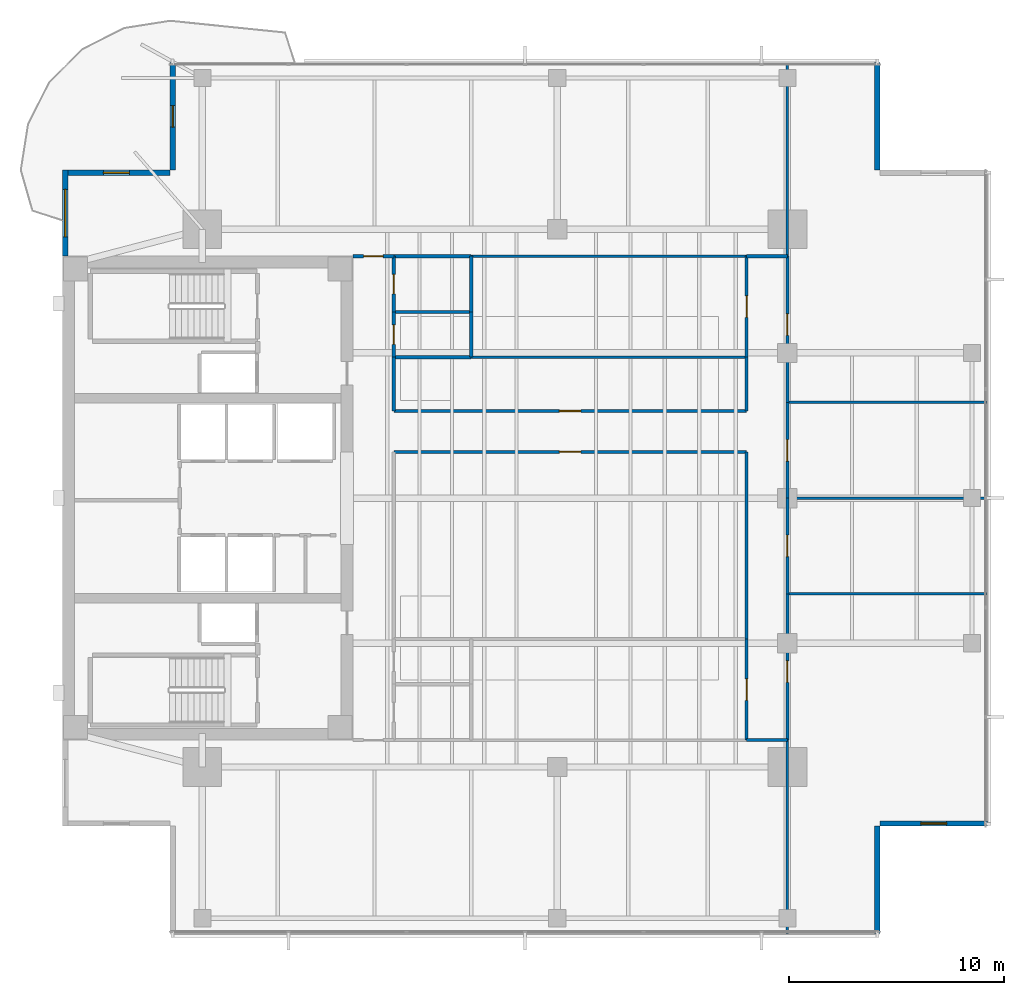
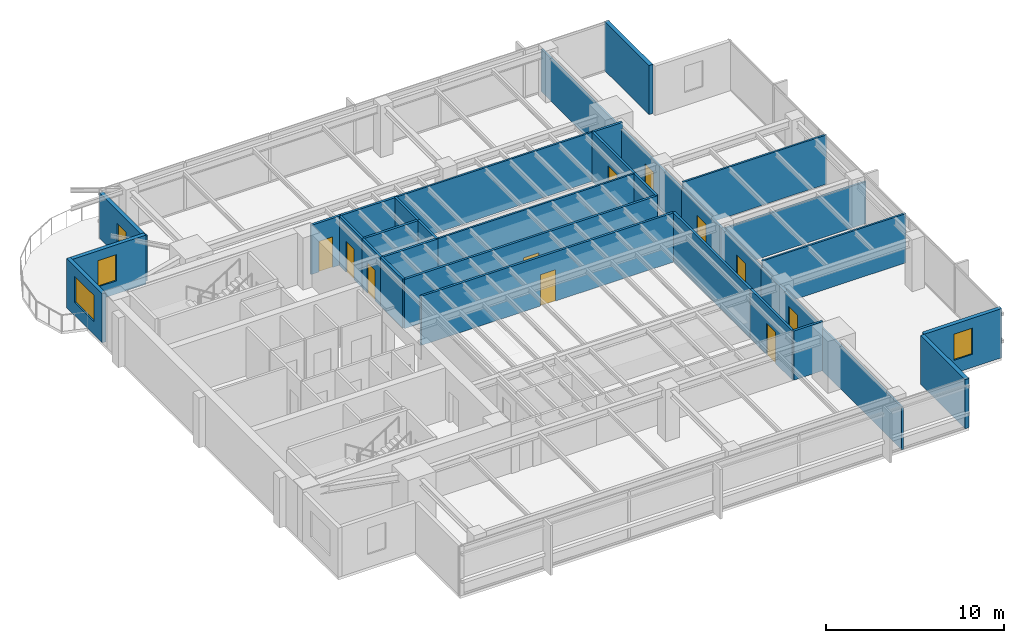
# One storey, part 9 of 14: 34 walls, 12 doors, 3 windows, 15 openings.
"""IFC4 building model written with IfcOpenShell, lengths in metres."""

import ifcopenshell
import ifcopenshell.guid

model = None  # the IFC model being written
_history = None  # IfcOwnerHistory: only IFC2X3 demands one
_inside = {}  # id of a spatial element -> (the spatial element, [elements in it])
_under = {}  # id of a project, library or spatial element -> (it, [spatial elements below it])
_declared = {}  # id of a project -> (the project, [libraries it declares])
_typed = {}  # id of a type object -> (the type object, [elements of that type])
_made_of = {}  # id of a material, layer set ... -> (it, [elements and type objects made of it])


def new_model(schema):
    """Start an empty IFC model of exactly this schema.

    Asked for "IFC4X3", IfcOpenShell would pick the latest addendum, in which some entities
    have other attributes; the version numbers below select the first issue.
    IFC2X3 requires an IfcOwnerHistory on every rooted entity: one is made here for all.
    """
    global model, _history
    if schema == "IFC4X3":
        model = ifcopenshell.file(schema_version=(4, 3, 0, 0))
    else:
        model = ifcopenshell.file(schema=schema)
    _inside.clear()
    _under.clear()
    _declared.clear()
    _typed.clear()
    _made_of.clear()
    _history = None
    if model.schema == "IFC2X3":
        org = make("IfcOrganization", Name="unknown")
        user = make(
            "IfcPersonAndOrganization",
            ThePerson=make("IfcPerson", FamilyName="unknown"),
            TheOrganization=org,
        )
        app = make(
            "IfcApplication",
            ApplicationDeveloper=org,
            Version="unknown",
            ApplicationFullName="unknown",
            ApplicationIdentifier="unknown",
        )
        _history = make(
            "IfcOwnerHistory",
            OwningUser=user,
            OwningApplication=app,
            ChangeAction="ADDED",
            CreationDate=0,
        )
    return model


def make(cls, **values):
    """One entity of the class cls with the attributes given. An attribute that is None is left unset."""
    return model.create_entity(
        cls, **{name: value for name, value in values.items() if value is not None}
    )


def rooted(cls, **values):
    """An entity with a GlobalId (a new one), such as an element, a storey or a relation."""
    return make(cls, GlobalId=ifcopenshell.guid.new(), OwnerHistory=_history, **values)


def si_unit(unit_type, name, prefix=None):
    """IfcSIUnit, for example si_unit("LENGTHUNIT", "METRE", prefix="MILLI")."""
    return make("IfcSIUnit", UnitType=unit_type, Prefix=prefix, Name=name)


def assignment(units):
    """IfcUnitAssignment: the units of a project."""
    return None if units is None else make("IfcUnitAssignment", Units=units)


def point(xyz):
    """IfcCartesianPoint."""
    return None if xyz is None else make("IfcCartesianPoint", Coordinates=xyz)


def direction(xyz):
    """IfcDirection."""
    return None if xyz is None else make("IfcDirection", DirectionRatios=xyz)


def frame(location, z_axis=None, x_axis=None):
    """IfcAxis2Placement3D, a coordinate frame: its origin and axes. An axis left out is left unset."""
    return make(
        "IfcAxis2Placement3D",
        Location=point(location),
        Axis=direction(z_axis),
        RefDirection=direction(x_axis),
    )


def frame_2d(location, x_axis=None):
    """IfcAxis2Placement2D, a coordinate frame in the plane: its origin and x axis."""
    return make(
        "IfcAxis2Placement2D", Location=point(location), RefDirection=direction(x_axis)
    )


def origin():
    """The frame at (0, 0, 0) with its axes left unset."""
    return frame((0.0, 0.0, 0.0))


def place(relative_to, where):
    """IfcLocalPlacement: puts the frame where relative to a parent placement (None: the world)."""
    return make(
        "IfcLocalPlacement", PlacementRelTo=relative_to, RelativePlacement=where
    )


def context(
    kind, dimensions, precision=None, world=None, true_north=None, identifier=None
):
    """IfcGeometricRepresentationContext, for example the 3D "Model" context."""
    return make(
        "IfcGeometricRepresentationContext",
        ContextIdentifier=identifier,
        ContextType=kind,
        CoordinateSpaceDimension=dimensions,
        Precision=precision,
        WorldCoordinateSystem=world,
        TrueNorth=true_north,
    )


def subcontext(parent, identifier, kind, view, scale=None):
    """IfcGeometricRepresentationSubContext, for example "Body" below "Model"."""
    return make(
        "IfcGeometricRepresentationSubContext",
        ContextIdentifier=identifier,
        ContextType=kind,
        ParentContext=parent,
        TargetScale=scale,
        TargetView=view,
    )


def project(units=None, contexts=None):
    """IfcProject with its units and contexts."""
    return rooted(
        "IfcProject",
        Name="project",
        RepresentationContexts=contexts,
        UnitsInContext=assignment(units),
    )


def spatial(cls, under=None, at=None, **own):
    """A site, building, storey or space (cls), placed at a placement, below another one or the project."""
    s = rooted(cls, ObjectPlacement=at, **own)
    if under is not None:
        _under.setdefault(under.id(), (under, []))[1].append(s)
    return s


def profile(cls, at=None, kind="AREA", **sizes):
    """A parametric profile (cls). Its sizes go by their IFC names, for example OverallWidth=200.0."""
    return make(cls, ProfileType=kind, Position=at, **sizes)


def rectangle(**sizes):
    """IfcRectangleProfileDef."""
    return profile("IfcRectangleProfileDef", **sizes)


def extrude(swept, where, along, depth):
    """IfcExtrudedAreaSolid: the profile swept, set in the frame where, extruded along a direction by depth."""
    return make(
        "IfcExtrudedAreaSolid",
        SweptArea=swept,
        Position=where,
        ExtrudedDirection=direction(along),
        Depth=depth,
    )


def shape(context_of_items, identifier, shape_type, items):
    """IfcShapeRepresentation: the items that make up one representation, for example the "Body"."""
    return make(
        "IfcShapeRepresentation",
        ContextOfItems=context_of_items,
        RepresentationIdentifier=identifier,
        RepresentationType=shape_type,
        Items=items,
    )


def material(Name=None, Category=None):
    """IfcMaterial."""
    return make("IfcMaterial", Name=Name, Category=Category)


def layer(
    of_material, thickness, ventilated=None, Name=None, Category=None, Priority=None
):
    """IfcMaterialLayer: one layer of a wall or slab, of a material (None: an air gap)."""
    return make(
        "IfcMaterialLayer",
        Material=of_material,
        LayerThickness=thickness,
        IsVentilated=ventilated,
        Name=Name,
        Category=Category,
        Priority=Priority,
    )


def layer_set(layers, Name=None):
    """IfcMaterialLayerSet."""
    return make("IfcMaterialLayerSet", MaterialLayers=layers, LayerSetName=Name)


def made_of(thing, what):
    """Note that an element or type object is made of a material, layer set ...; save() writes the relation."""
    if what is not None:
        _made_of.setdefault(what.id(), (what, []))[1].append(thing)
    return thing


def type_object(cls, material=None, **own):
    """A type object (cls), such as IfcWallType, which elements share."""
    return made_of(rooted(cls, **own), material)


def element(
    cls,
    number,
    at=None,
    inside=None,
    cuts=None,
    type_object=None,
    material=None,
    context=None,
    identifier="Body",
    shape_type=None,
    held_by="IfcProductDefinitionShape",
    body=None,
    shapes=None,
    **own,
):
    """One element of the class cls, such as IfcWall. Its Tag is "e" and its number.

    at: its placement. inside: the storey or other place that contains it. cuts: it is an
    opening in that element (IfcRelVoidsElement). A single representation is given by context,
    identifier, shape_type and body (its items); several are given by shapes. held_by: the class
    of the entity that holds the representations. save() writes the other relations.
    """
    e = rooted(cls, Tag="e%d" % number, ObjectPlacement=at, **own)
    if body is not None:
        shapes = [shape(context, identifier, shape_type, body)]
    if shapes is not None:
        e.Representation = make(held_by, Representations=shapes)
    if inside is not None:
        _inside.setdefault(inside.id(), (inside, []))[1].append(e)
    if cuts is not None:
        rooted(
            "IfcRelVoidsElement", RelatingBuildingElement=cuts, RelatedOpeningElement=e
        )
    if type_object is not None:
        _typed.setdefault(type_object.id(), (type_object, []))[1].append(e)
    return made_of(e, material)


def fill(opening, filler):
    """IfcRelFillsElement: the door or window that sits in an opening."""
    return rooted(
        "IfcRelFillsElement",
        RelatingOpeningElement=opening,
        RelatedBuildingElement=filler,
    )


def aggregate(whole, parts):
    """IfcRelAggregates: a whole, such as a stair, and the parts it consists of."""
    return rooted("IfcRelAggregates", RelatingObject=whole, RelatedObjects=parts)


def save(model, path):
    """Write the relations noted so far, then the file.

    IfcRelAggregates (storeys below a building ...), IfcRelContainedInSpatialStructure (elements
    in a storey), IfcRelDefinesByType, IfcRelAssociatesMaterial and IfcRelDeclares: one each for
    every whole, place, type object, material and project.
    """
    for whole, parts in _under.values():
        aggregate(whole, parts)
    for where, things in _inside.values():
        rooted(
            "IfcRelContainedInSpatialStructure",
            RelatedElements=things,
            RelatingStructure=where,
        )
    for kind, things in _typed.values():
        rooted("IfcRelDefinesByType", RelatedObjects=things, RelatingType=kind)
    for what, things in _made_of.values():
        rooted("IfcRelAssociatesMaterial", RelatedObjects=things, RelatingMaterial=what)
    for by, libraries in _declared.values():
        rooted("IfcRelDeclares", RelatingContext=by, RelatedDefinitions=libraries)
    model.write(path)


model = new_model("IFC4")

# Units and contexts
model_context = context("Model", 3, precision=1e-05, world=origin(), true_north=direction((0.0, 1.0)))
body_context = subcontext(model_context, "Body", "Model", "MODEL_VIEW")
ifc_project = project(units=[si_unit("LENGTHUNIT", "METRE"), si_unit("AREAUNIT", "SQUARE_METRE"), si_unit("VOLUMEUNIT", "CUBIC_METRE"), si_unit("PLANEANGLEUNIT", "RADIAN"), si_unit("MASSUNIT", "GRAM", prefix="KILO")], contexts=[model_context])

# Site, building, storey
site_placement = place(None, origin())
site = spatial("IfcSite", under=ifc_project, at=site_placement, CompositionType="ELEMENT")
building_placement = place(site_placement, origin())
building = spatial("IfcBuilding", under=site, at=building_placement, Name="Kinhvarn Gate Tower", CompositionType="ELEMENT")
storey_placement = place(building_placement, frame((0.0, 0.0, 202.25)))
storey = spatial("IfcBuildingStorey", under=building, at=storey_placement, Name="L53", CompositionType="ELEMENT", Elevation=202.25)

# Wall, opening, window
ifc_material_1 = material(Name="Fired architectural terracotta", Category="masonry")
ifc_layer_1 = layer(ifc_material_1, 0.25)
ifc_layer_set_1 = layer_set([ifc_layer_1], Name="Fired architectural terracotta")
wall_type_1 = type_object("IfcWallType", Name="WL-EXT-250", PredefinedType="SOLIDWALL", material=ifc_layer_set_1)
wall_1_placement = place(storey_placement, frame((4.625, 40.5, 0.0), z_axis=(0.0, 0.0, 1.0), x_axis=(0.0, -1.0, 0.0)))
wall_1 = element("IfcWall", 1, at=wall_1_placement, inside=storey, type_object=wall_type_1, Name="Exterior Solidwall Wall EW-250 (L53 West-North)", PredefinedType="SOLIDWALL", context=body_context, shape_type="SweptSolid", body=[
    extrude(rectangle(XDim=4.0, YDim=0.25, at=frame_2d((2.0, 0.0))), origin(), (0.0, 0.0, 1.0), 3.3701171875),
])
opening_1_placement = place(wall_1_placement, frame((0.89990234375, 0.0, 0.89990234375)))
opening_1 = element("IfcOpeningElement", 2, at=opening_1_placement, cuts=wall_1, Name="Opening WN-01", PredefinedType="OPENING", context=body_context, shape_type="SweptSolid", body=[
    extrude(rectangle(XDim=2.199951171875, YDim=1.800048828125, at=frame_2d((1.10009765625, 0.89990234375))), frame((0.0, 0.135009765625, 0.0), z_axis=(0.0, -1.0, 0.0), x_axis=(1.0, 0.0, 0.0)), (0.0, 0.0, 1.0), 0.27001953125),
])
ifc_material_2 = material(Name="Clear low-e double glazing", Category="glass")
window_type_1 = type_object("IfcWindowType", Name="WIN-RIB-2200", PartitioningType="SINGLE_PANEL", PredefinedType="WINDOW", material=ifc_material_2)
window_1_placement = place(opening_1_placement, origin())
window_1 = element("IfcWindow", 3, at=window_1_placement, inside=storey, type_object=window_type_1, Name="West Flank Double-Glazed Ribbon Window 2200x1800 mm (L53)", OverallHeight=1.800048828125, OverallWidth=2.199951171875, PartitioningType="SINGLE_PANEL", PredefinedType="WINDOW", context=body_context, shape_type="SweptSolid", body=[
    extrude(rectangle(XDim=2.199951171875, YDim=1.800048828125, at=frame_2d((1.10009765625, 0.89990234375))), frame((0.0, 0.030029296875, 0.0), z_axis=(0.0, -1.0, 0.0), x_axis=(1.0, 0.0, 0.0)), (0.0, 0.0, 1.0), 0.06005859375),
])
fill(opening_1, window_1)

# Wall
wall_2_placement = place(storey_placement, frame((42.375, 5.0, 0.0), z_axis=(0.0, 0.0, 1.0), x_axis=(0.0, 1.0, 0.0)))
element("IfcWall", 4, at=wall_2_placement, inside=storey, type_object=wall_type_1, Name="Exterior Solidwall Wall EW-250 (L53 SE-Notch-1)", PredefinedType="SOLIDWALL", context=body_context, shape_type="SweptSolid", body=[
    extrude(rectangle(XDim=5.0, YDim=0.25, at=frame_2d((2.5, 0.0))), origin(), (0.0, 0.0, 1.0), 3.3701171875),
])

# Wall, opening, window
wall_3_placement = place(storey_placement, frame((42.5, 10.125, 0.0), z_axis=(0.0, 0.0, 1.0), x_axis=(1.0, 0.0, 0.0)))
wall_3 = element("IfcWall", 5, at=wall_3_placement, inside=storey, type_object=wall_type_1, Name="Exterior Solidwall Wall EW-250 (L53 SE-Notch-2)", PredefinedType="SOLIDWALL", context=body_context, shape_type="SweptSolid", body=[
    extrude(rectangle(XDim=5.0, YDim=0.25, at=frame_2d((2.5, 0.0))), origin(), (0.0, 0.0, 1.0), 3.3701171875),
])
opening_2_placement = place(wall_3_placement, frame((1.89990234375, 0.0, 0.89990234375)))
opening_2 = element("IfcOpeningElement", 6, at=opening_2_placement, cuts=wall_3, Name="Opening WN-02", PredefinedType="OPENING", context=body_context, shape_type="SweptSolid", body=[
    extrude(rectangle(XDim=1.199951171875, YDim=1.800048828125, at=frame_2d((0.60009765625, 0.89990234375))), frame((0.0, 0.135009765625, 0.0), z_axis=(0.0, -1.0, 0.0), x_axis=(1.0, 0.0, 0.0)), (0.0, 0.0, 1.0), 0.27001953125),
])
window_type_2 = type_object("IfcWindowType", Name="WIN-NTC-1200", PartitioningType="SINGLE_PANEL", PredefinedType="WINDOW", material=ifc_material_2)
window_2_placement = place(opening_2_placement, origin())
window_2 = element("IfcWindow", 7, at=window_2_placement, inside=storey, type_object=window_type_2, Name="Recessed Corner Notch Punched Window 1200x1800 mm (L53)", OverallHeight=1.800048828125, OverallWidth=1.199951171875, PartitioningType="SINGLE_PANEL", PredefinedType="WINDOW", context=body_context, shape_type="SweptSolid", body=[
    extrude(rectangle(XDim=1.199951171875, YDim=1.800048828125, at=frame_2d((0.60009765625, 0.89990234375))), frame((0.0, 0.030029296875, 0.0), z_axis=(0.0, -1.0, 0.0), x_axis=(1.0, 0.0, 0.0)), (0.0, 0.0, 1.0), 0.06005859375),
])
fill(opening_2, window_2)

# Wall
wall_4_placement = place(storey_placement, frame((42.375, 40.5, 0.0), z_axis=(0.0, 0.0, 1.0), x_axis=(0.0, 1.0, 0.0)))
element("IfcWall", 8, at=wall_4_placement, inside=storey, type_object=wall_type_1, Name="Exterior Solidwall Wall EW-250 (L53 NE-Notch-2)", PredefinedType="SOLIDWALL", context=body_context, shape_type="SweptSolid", body=[
    extrude(rectangle(XDim=5.0, YDim=0.25, at=frame_2d((2.5, 0.0))), origin(), (0.0, 0.0, 1.0), 3.3701171875),
])

# Wall, opening, door
wall_5_placement = place(storey_placement, frame((9.625, 45.5, 0.0), z_axis=(0.0, 0.0, 1.0), x_axis=(0.0, -1.0, 0.0)))
wall_5 = element("IfcWall", 9, at=wall_5_placement, inside=storey, type_object=wall_type_1, Name="Exterior Solidwall Wall EW-250 (L53 NW-Notch-Door)", PredefinedType="SOLIDWALL", context=body_context, shape_type="SweptSolid", body=[
    extrude(rectangle(XDim=5.0, YDim=0.25, at=frame_2d((2.5, 0.0))), origin(), (0.0, 0.0, 1.0), 3.10009765625),
])
opening_3_placement = place(wall_5_placement, frame((2.0, 0.0, 0.0)))
opening_3 = element("IfcOpeningElement", 10, at=opening_3_placement, cuts=wall_5, Name="Opening BD-01", PredefinedType="OPENING", context=body_context, shape_type="SweptSolid", body=[
    extrude(rectangle(XDim=1.0, YDim=2.199951171875, at=frame_2d((0.5, 1.10009765625))), frame((0.0, 0.135009765625, 0.0), z_axis=(0.0, -1.0, 0.0), x_axis=(1.0, 0.0, 0.0)), (0.0, 0.0, 1.0), 0.27001953125),
])
door_type_1 = type_object("IfcDoorType", Name="DR-BAL-1000", OperationType="NOTDEFINED", PredefinedType="DOOR", material=ifc_material_2)
door_1_placement = place(opening_3_placement, frame((1.0, 0.0, 0.0), z_axis=(0.0, 0.0, 1.0), x_axis=(-1.0, 0.0, 0.0)))
door_1 = element("IfcDoor", 11, at=door_1_placement, inside=storey, type_object=door_type_1, Name="S-Carve Balcony Door BD-01 (L53)", OperationType="SINGLE_SWING_RIGHT", OverallHeight=2.199951171875, OverallWidth=1.0, PredefinedType="DOOR", context=body_context, shape_type="SweptSolid", body=[
    extrude(rectangle(XDim=1.0, YDim=2.199951171875, at=frame_2d((0.5, 1.10009765625))), frame((0.0, 0.02490234375, 0.0), z_axis=(0.0, -1.0, 0.0), x_axis=(1.0, 0.0, 0.0)), (0.0, 0.0, 1.0), 0.050048828125),
])
fill(opening_3, door_1)

# Wall, opening, window
wall_6_placement = place(storey_placement, frame((9.5, 40.375, 0.0), z_axis=(0.0, 0.0, 1.0), x_axis=(-1.0, 0.0, 0.0)))
wall_6 = element("IfcWall", 12, at=wall_6_placement, inside=storey, type_object=wall_type_1, Name="Exterior Solidwall Wall EW-250 (L53 NW-Notch-Win)", PredefinedType="SOLIDWALL", context=body_context, shape_type="SweptSolid", body=[
    extrude(rectangle(XDim=5.0, YDim=0.25, at=frame_2d((2.5, 0.0))), origin(), (0.0, 0.0, 1.0), 3.3701171875),
])
opening_4_placement = place(wall_6_placement, frame((1.89990234375, 0.0, 0.89990234375)))
opening_4 = element("IfcOpeningElement", 13, at=opening_4_placement, cuts=wall_6, Name="Opening WN-02", PredefinedType="OPENING", context=body_context, shape_type="SweptSolid", body=[
    extrude(rectangle(XDim=1.199951171875, YDim=1.800048828125, at=frame_2d((0.60009765625, 0.89990234375))), frame((0.0, 0.135009765625, 0.0), z_axis=(0.0, -1.0, 0.0), x_axis=(1.0, 0.0, 0.0)), (0.0, 0.0, 1.0), 0.27001953125),
])
window_3_placement = place(opening_4_placement, origin())
window_3 = element("IfcWindow", 14, at=window_3_placement, inside=storey, type_object=window_type_2, Name="Recessed Corner Notch Punched Window 1200x1800 mm (L53)", OverallHeight=1.800048828125, OverallWidth=1.199951171875, PartitioningType="SINGLE_PANEL", PredefinedType="WINDOW", context=body_context, shape_type="SweptSolid", body=[
    extrude(rectangle(XDim=1.199951171875, YDim=1.800048828125, at=frame_2d((0.60009765625, 0.89990234375))), frame((0.0, 0.030029296875, 0.0), z_axis=(0.0, -1.0, 0.0), x_axis=(1.0, 0.0, 0.0)), (0.0, 0.0, 1.0), 0.06005859375),
])
fill(opening_4, window_3)

# Walls
ifc_material_3 = material(Name="Gypsum acoustic partition board")
ifc_layer_2 = layer(ifc_material_3, 0.14990234375)
ifc_layer_set_2 = layer_set([ifc_layer_2], Name="Gypsum acoustic partition board")
wall_type_2 = type_object("IfcWallType", Name="WL-PLM-150", PredefinedType="PLUMBINGWALL", material=ifc_layer_set_2)
wall_7_placement = place(storey_placement, frame((19.89990234375, 33.89990234375, 0.0), z_axis=(0.0, 0.0, 1.0), x_axis=(1.0, 0.0, 0.0)))
element("IfcWall", 15, at=wall_7_placement, inside=storey, type_object=wall_type_2, Name="Interior Partition PLW-150 (L53)", PredefinedType="PLUMBINGWALL", context=body_context, shape_type="SweptSolid", body=[
    extrude(rectangle(XDim=3.60009765625, YDim=0.14990234375, at=frame_2d((1.800048828125, 0.0))), origin(), (0.0, 0.0, 1.0), 3.3701171875),
])
wall_8_placement = place(storey_placement, frame((23.5, 33.89990234375, 0.0), z_axis=(0.0, 0.0, 1.0), x_axis=(0.0, 1.0, 0.0)))
element("IfcWall", 16, at=wall_8_placement, inside=storey, type_object=wall_type_2, Name="Interior Partition PLW-150 (L53)", PredefinedType="PLUMBINGWALL", context=body_context, shape_type="SweptSolid", body=[
    extrude(rectangle(XDim=2.60009765625, YDim=0.14990234375, at=frame_2d((1.300048828125, 0.0))), origin(), (0.0, 0.0, 1.0), 3.3701171875),
])
wall_9_placement = place(storey_placement, frame((19.89990234375, 36.5, 0.0), z_axis=(0.0, 0.0, 1.0), x_axis=(1.0, 0.0, 0.0)))
element("IfcWall", 17, at=wall_9_placement, inside=storey, type_object=wall_type_2, Name="Interior Partition PLW-150 (L53)", PredefinedType="PLUMBINGWALL", context=body_context, shape_type="SweptSolid", body=[
    extrude(rectangle(XDim=3.60009765625, YDim=0.14990234375, at=frame_2d((1.800048828125, 0.0))), origin(), (0.0, 0.0, 1.0), 3.3701171875),
])
wall_10_placement = place(storey_placement, frame((23.5, 31.800048828125, 0.0), z_axis=(0.0, 0.0, 1.0), x_axis=(0.0, 1.0, 0.0)))
element("IfcWall", 18, at=wall_10_placement, inside=storey, type_object=wall_type_2, Name="Interior Partition PLW-150 (L53)", PredefinedType="PLUMBINGWALL", context=body_context, shape_type="SweptSolid", body=[
    extrude(rectangle(XDim=2.099853515625, YDim=0.14990234375, at=frame_2d((1.0498046875, 0.0))), origin(), (0.0, 0.0, 1.0), 3.3701171875),
])
wall_11_placement = place(storey_placement, frame((19.89990234375, 31.800048828125, 0.0), z_axis=(0.0, 0.0, 1.0), x_axis=(1.0, 0.0, 0.0)))
element("IfcWall", 19, at=wall_11_placement, inside=storey, type_object=wall_type_2, Name="Interior Partition PLW-150 (L53)", PredefinedType="PLUMBINGWALL", context=body_context, shape_type="SweptSolid", body=[
    extrude(rectangle(XDim=3.60009765625, YDim=0.14990234375, at=frame_2d((1.800048828125, 0.0))), origin(), (0.0, 0.0, 1.0), 3.3701171875),
])

# Wall, opening, door
ifc_layer_3 = layer(ifc_material_3, 0.14990234375)
ifc_layer_set_3 = layer_set([ifc_layer_3], Name="Gypsum acoustic partition board")
wall_type_3 = type_object("IfcWallType", Name="WL-PLM-150F", PredefinedType="PLUMBINGWALL", material=ifc_layer_set_3)
wall_12_placement = place(storey_placement, frame((19.89990234375, 33.89990234375, 0.0), z_axis=(0.0, 0.0, 1.0), x_axis=(0.0, 1.0, 0.0)))
wall_12 = element("IfcWall", 20, at=wall_12_placement, inside=storey, type_object=wall_type_3, Name="Interior Partition PLW-150F (L53)", PredefinedType="PLUMBINGWALL", context=body_context, shape_type="SweptSolid", body=[
    extrude(rectangle(XDim=2.60009765625, YDim=0.14990234375, at=frame_2d((1.300048828125, 0.0))), origin(), (0.0, 0.0, 1.0), 3.3701171875),
])
opening_5_placement = place(wall_12_placement, frame((0.85009765625, 0.0, 0.0)))
opening_5 = element("IfcOpeningElement", 21, at=opening_5_placement, cuts=wall_12, Name="Opening FD-04", PredefinedType="OPENING", context=body_context, shape_type="SweptSolid", body=[
    extrude(rectangle(XDim=0.89990234375, YDim=2.10009765625, at=frame_2d((0.449951171875, 1.050048828125))), frame((0.0, 0.0849609375, 0.0), z_axis=(0.0, -1.0, 0.0), x_axis=(1.0, 0.0, 0.0)), (0.0, 0.0, 1.0), 0.169921875),
])
ifc_material_4 = material(Name="Anodised aluminium AW-6063", Category="aluminium")
door_type_2 = type_object("IfcDoorType", Name="DR-FD-900", OperationType="NOTDEFINED", PredefinedType="DOOR", material=ifc_material_4)
door_2_placement = place(opening_5_placement, origin())
door_2 = element("IfcDoor", 22, at=door_2_placement, inside=storey, type_object=door_type_2, Name="Rated Riser & Service Closet Fire Door 900x2100 mm (L53)", OperationType="SINGLE_SWING_RIGHT", OverallHeight=2.10009765625, OverallWidth=0.89990234375, PredefinedType="DOOR", context=body_context, shape_type="SweptSolid", body=[
    extrude(rectangle(XDim=0.89990234375, YDim=2.10009765625, at=frame_2d((0.449951171875, 1.050048828125))), frame((0.0, 0.02490234375, 0.0), z_axis=(0.0, -1.0, 0.0), x_axis=(1.0, 0.0, 0.0)), (0.0, 0.0, 1.0), 0.050048828125),
])
fill(opening_5, door_2)

wall_13_placement = place(storey_placement, frame((19.89990234375, 31.800048828125, 0.0), z_axis=(0.0, 0.0, 1.0), x_axis=(0.0, 1.0, 0.0)))
wall_13 = element("IfcWall", 23, at=wall_13_placement, inside=storey, type_object=wall_type_3, Name="Interior Partition PLW-150F (L53)", PredefinedType="PLUMBINGWALL", context=body_context, shape_type="SweptSolid", body=[
    extrude(rectangle(XDim=2.099853515625, YDim=0.14990234375, at=frame_2d((1.0498046875, 0.0))), origin(), (0.0, 0.0, 1.0), 3.3701171875),
])
opening_6_placement = place(wall_13_placement, frame((0.60009765625, 0.0, 0.0)))
opening_6 = element("IfcOpeningElement", 24, at=opening_6_placement, cuts=wall_13, Name="Opening FD-04", PredefinedType="OPENING", context=body_context, shape_type="SweptSolid", body=[
    extrude(rectangle(XDim=0.89990234375, YDim=2.10009765625, at=frame_2d((0.449951171875, 1.050048828125))), frame((0.0, 0.0849609375, 0.0), z_axis=(0.0, -1.0, 0.0), x_axis=(1.0, 0.0, 0.0)), (0.0, 0.0, 1.0), 0.169921875),
])
door_3_placement = place(opening_6_placement, origin())
door_3 = element("IfcDoor", 25, at=door_3_placement, inside=storey, type_object=door_type_2, Name="Rated Riser & Service Closet Fire Door 900x2100 mm (L53)", OperationType="SINGLE_SWING_RIGHT", OverallHeight=2.10009765625, OverallWidth=0.89990234375, PredefinedType="DOOR", context=body_context, shape_type="SweptSolid", body=[
    extrude(rectangle(XDim=0.89990234375, YDim=2.10009765625, at=frame_2d((0.449951171875, 1.050048828125))), frame((0.0, 0.02490234375, 0.0), z_axis=(0.0, -1.0, 0.0), x_axis=(1.0, 0.0, 0.0)), (0.0, 0.0, 1.0), 0.050048828125),
])
fill(opening_6, door_3)

# Walls
ifc_layer_4 = layer(ifc_material_3, 0.1201171875)
ifc_layer_set_4 = layer_set([ifc_layer_4], Name="Gypsum acoustic partition board")
wall_type_4 = type_object("IfcWallType", Name="WL-PRT-120", PredefinedType="PARTITIONING", material=ifc_layer_set_4)
for number, where, z_axis, x_axis, name in (
    (26, (23.5, 31.800048828125, 0.0), (0.0, 0.0, 1.0), (1.0, 0.0, 0.0), "Interior Partition PW-120 (L53)"),
    (27, (23.5, 36.5, 0.0), (0.0, 0.0, 1.0), (1.0, 0.0, 0.0), "Interior Partition PW-120 (L53)"),
):
    element("IfcWall", number, at=place(storey_placement, frame(where, z_axis=z_axis, x_axis=x_axis)), inside=storey, type_object=wall_type_4, Name=name, PredefinedType="PARTITIONING", context=body_context, shape_type="SweptSolid", body=[
        extrude(rectangle(XDim=12.800048828125, YDim=0.1201171875, at=frame_2d((6.39990234375, 0.0))), origin(), (0.0, 0.0, 1.0), 3.3701171875),
    ])
for number, where, z_axis, x_axis, name in (
    (28, (38.199951171875, 5.010009765625, 0.0), (0.0, 0.0, 1.0), (0.0, 1.0, 0.0), "Interior Partition PW-120 (L53)"),
    (29, (38.199951171875, 36.5, 0.0), (0.0, 0.0, 1.0), (0.0, 1.0, 0.0), "Interior Partition PW-120 (L53)"),
):
    element("IfcWall", number, at=place(storey_placement, frame(where, z_axis=z_axis, x_axis=x_axis)), inside=storey, type_object=wall_type_4, Name=name, PredefinedType="PARTITIONING", context=body_context, shape_type="SweptSolid", body=[
        extrude(rectangle(XDim=8.989990234375, YDim=0.1201171875, at=frame_2d((4.4951171875, 0.0))), origin(), (0.0, 0.0, 1.0), 2.919921875),
    ])
wall_14_placement = place(storey_placement, frame((38.199951171875, 20.800048828125, 0.0), z_axis=(0.0, 0.0, 1.0), x_axis=(1.0, 0.0, 0.0)))
element("IfcWall", 30, at=wall_14_placement, inside=storey, type_object=wall_type_4, Name="Interior Partition PW-120 (L53)", PredefinedType="PARTITIONING", context=body_context, shape_type="SweptSolid", body=[
    extrude(rectangle(XDim=9.2900390625, YDim=0.1201171875, at=frame_2d((4.64501953125, 0.0))), origin(), (0.0, 0.0, 1.0), 3.3701171875),
])
wall_15_placement = place(storey_placement, frame((38.199951171875, 25.25, 0.0), z_axis=(0.0, 0.0, 1.0), x_axis=(1.0, 0.0, 0.0)))
element("IfcWall", 31, at=wall_15_placement, inside=storey, type_object=wall_type_4, Name="Interior Partition PW-120 (L53)", PredefinedType="PARTITIONING", context=body_context, shape_type="SweptSolid", body=[
    extrude(rectangle(XDim=9.2900390625, YDim=0.1201171875, at=frame_2d((4.64501953125, 0.0))), origin(), (0.0, 0.0, 1.0), 2.8701171875),
])
wall_16_placement = place(storey_placement, frame((38.199951171875, 29.699951171875, 0.0), z_axis=(0.0, 0.0, 1.0), x_axis=(1.0, 0.0, 0.0)))
element("IfcWall", 32, at=wall_16_placement, inside=storey, type_object=wall_type_4, Name="Interior Partition PW-120 (L53)", PredefinedType="PARTITIONING", context=body_context, shape_type="SweptSolid", body=[
    extrude(rectangle(XDim=9.2900390625, YDim=0.1201171875, at=frame_2d((4.64501953125, 0.0))), origin(), (0.0, 0.0, 1.0), 3.3701171875),
])
ifc_layer_5 = layer(ifc_material_3, 0.14990234375)
ifc_layer_set_5 = layer_set([ifc_layer_5], Name="Gypsum acoustic partition board")
wall_type_5 = type_object("IfcWallType", Name="WL-PRT-150F", PredefinedType="PARTITIONING", material=ifc_layer_set_5)
wall_17_placement = place(storey_placement, frame((19.89990234375, 29.300048828125, 0.0), z_axis=(0.0, 0.0, 1.0), x_axis=(0.0, 1.0, 0.0)))
element("IfcWall", 33, at=wall_17_placement, inside=storey, type_object=wall_type_5, Name="Interior Partition PW-150F (L53)", PredefinedType="PARTITIONING", context=body_context, shape_type="SweptSolid", body=[
    extrude(rectangle(XDim=2.5, YDim=0.14990234375, at=frame_2d((1.25, 0.0))), origin(), (0.0, 0.0, 1.0), 3.3701171875),
])

# Wall, opening, door
wall_18_placement = place(storey_placement, frame((18.0, 36.5, 0.0), z_axis=(0.0, 0.0, 1.0), x_axis=(1.0, 0.0, 0.0)))
wall_18 = element("IfcWall", 34, at=wall_18_placement, inside=storey, type_object=wall_type_5, Name="Interior Partition PW-150F (L53)", PredefinedType="PARTITIONING", context=body_context, shape_type="SweptSolid", body=[
    extrude(rectangle(XDim=1.89990234375, YDim=0.14990234375, at=frame_2d((0.949951171875, 0.0))), origin(), (0.0, 0.0, 1.0), 3.3701171875),
])
opening_7_placement = place(wall_18_placement, frame((0.5, 0.0, 0.0)))
opening_7 = element("IfcOpeningElement", 35, at=opening_7_placement, cuts=wall_18, Name="Opening ID-03", PredefinedType="OPENING", context=body_context, shape_type="SweptSolid", body=[
    extrude(rectangle(XDim=0.89990234375, YDim=2.10009765625, at=frame_2d((0.449951171875, 1.050048828125))), frame((0.0, 0.0849609375, 0.0), z_axis=(0.0, -1.0, 0.0), x_axis=(1.0, 0.0, 0.0)), (0.0, 0.0, 1.0), 0.169921875),
])
door_type_3 = type_object("IfcDoorType", Name="DR-INT-900", OperationType="NOTDEFINED", PredefinedType="DOOR", material=ifc_material_4)
door_4_placement = place(opening_7_placement, origin())
door_4 = element("IfcDoor", 36, at=door_4_placement, inside=storey, type_object=door_type_3, Name="Cellular Office & Restroom Door 900x2100 mm (L53)", OperationType="SINGLE_SWING_RIGHT", OverallHeight=2.10009765625, OverallWidth=0.89990234375, PredefinedType="DOOR", context=body_context, shape_type="SweptSolid", body=[
    extrude(rectangle(XDim=0.89990234375, YDim=2.10009765625, at=frame_2d((0.449951171875, 1.050048828125))), frame((0.0, 0.02490234375, 0.0), z_axis=(0.0, -1.0, 0.0), x_axis=(1.0, 0.0, 0.0)), (0.0, 0.0, 1.0), 0.050048828125),
])
fill(opening_7, door_4)

wall_19_placement = place(storey_placement, frame((19.89990234375, 27.39990234375, 0.0), z_axis=(0.0, 0.0, 1.0), x_axis=(1.0, 0.0, 0.0)))
wall_19 = element("IfcWall", 37, at=wall_19_placement, inside=storey, type_object=wall_type_5, Name="Interior Partition PW-150F (L53)", PredefinedType="PARTITIONING", context=body_context, shape_type="SweptSolid", body=[
    extrude(rectangle(XDim=16.400146484375, YDim=0.14990234375, at=frame_2d((8.2001953125, 0.0))), origin(), (0.0, 0.0, 1.0), 3.3701171875),
])
opening_8_placement = place(wall_19_placement, frame((7.699951171875, 0.0, 0.0)))
opening_8 = element("IfcOpeningElement", 38, at=opening_8_placement, cuts=wall_19, Name="Opening ID-02", PredefinedType="OPENING", context=body_context, shape_type="SweptSolid", body=[
    extrude(rectangle(XDim=1.0, YDim=2.14990234375, at=frame_2d((0.5, 1.074951171875))), frame((0.0, 0.0849609375, 0.0), z_axis=(0.0, -1.0, 0.0), x_axis=(1.0, 0.0, 0.0)), (0.0, 0.0, 1.0), 0.169921875),
])
door_type_4 = type_object("IfcDoorType", Name="DR-INT-1000", OperationType="NOTDEFINED", PredefinedType="DOOR", material=ifc_material_4)
door_5_placement = place(opening_8_placement, origin())
door_5 = element("IfcDoor", 39, at=door_5_placement, inside=storey, type_object=door_type_4, Name="Standard Office & Meeting Room Door 1000x2150 mm (L53)", OperationType="SINGLE_SWING_LEFT", OverallHeight=2.14990234375, OverallWidth=1.0, PredefinedType="DOOR", context=body_context, shape_type="SweptSolid", body=[
    extrude(rectangle(XDim=1.0, YDim=2.14990234375, at=frame_2d((0.5, 1.074951171875))), frame((0.0, 0.02490234375, 0.0), z_axis=(0.0, -1.0, 0.0), x_axis=(1.0, 0.0, 0.0)), (0.0, 0.0, 1.0), 0.050048828125),
])
fill(opening_8, door_5)

wall_20_placement = place(storey_placement, frame((19.89990234375, 29.300048828125, 0.0), z_axis=(0.0, 0.0, 1.0), x_axis=(1.0, 0.0, 0.0)))
wall_20 = element("IfcWall", 40, at=wall_20_placement, inside=storey, type_object=wall_type_5, Name="Interior Partition PW-150F (L53)", PredefinedType="PARTITIONING", context=body_context, shape_type="SweptSolid", body=[
    extrude(rectangle(XDim=16.400146484375, YDim=0.14990234375, at=frame_2d((8.2001953125, 0.0))), origin(), (0.0, 0.0, 1.0), 3.3701171875),
])
opening_9_placement = place(wall_20_placement, frame((7.699951171875, 0.0, 0.0)))
opening_9 = element("IfcOpeningElement", 41, at=opening_9_placement, cuts=wall_20, Name="Opening ID-02", PredefinedType="OPENING", context=body_context, shape_type="SweptSolid", body=[
    extrude(rectangle(XDim=1.0, YDim=2.14990234375, at=frame_2d((0.5, 1.074951171875))), frame((0.0, 0.0849609375, 0.0), z_axis=(0.0, -1.0, 0.0), x_axis=(1.0, 0.0, 0.0)), (0.0, 0.0, 1.0), 0.169921875),
])
door_6_placement = place(opening_9_placement, origin())
door_6 = element("IfcDoor", 42, at=door_6_placement, inside=storey, type_object=door_type_4, Name="Standard Office & Meeting Room Door 1000x2150 mm (L53)", OperationType="SINGLE_SWING_RIGHT", OverallHeight=2.14990234375, OverallWidth=1.0, PredefinedType="DOOR", context=body_context, shape_type="SweptSolid", body=[
    extrude(rectangle(XDim=1.0, YDim=2.14990234375, at=frame_2d((0.5, 1.074951171875))), frame((0.0, 0.02490234375, 0.0), z_axis=(0.0, -1.0, 0.0), x_axis=(1.0, 0.0, 0.0)), (0.0, 0.0, 1.0), 0.050048828125),
])
fill(opening_9, door_6)

wall_21_placement = place(storey_placement, frame((36.300048828125, 14.0, 0.0), z_axis=(0.0, 0.0, 1.0), x_axis=(0.0, 1.0, 0.0)))
wall_21 = element("IfcWall", 43, at=wall_21_placement, inside=storey, type_object=wall_type_5, Name="Interior Partition PW-150F (L53)", PredefinedType="PARTITIONING", context=body_context, shape_type="SweptSolid", body=[
    extrude(rectangle(XDim=4.699951171875, YDim=0.14990234375, at=frame_2d((2.35009765625, 0.0))), origin(), (0.0, 0.0, 1.0), 3.3701171875),
])
opening_10_placement = place(wall_21_placement, frame((1.85009765625, 0.0, 0.0)))
opening_10 = element("IfcOpeningElement", 44, at=opening_10_placement, cuts=wall_21, Name="Opening ID-02", PredefinedType="OPENING", context=body_context, shape_type="SweptSolid", body=[
    extrude(rectangle(XDim=1.0, YDim=2.14990234375, at=frame_2d((0.5, 1.074951171875))), frame((0.0, 0.0849609375, 0.0), z_axis=(0.0, -1.0, 0.0), x_axis=(1.0, 0.0, 0.0)), (0.0, 0.0, 1.0), 0.169921875),
])
door_7_placement = place(opening_10_placement, origin())
door_7 = element("IfcDoor", 45, at=door_7_placement, inside=storey, type_object=door_type_4, Name="Standard Office & Meeting Room Door 1000x2150 mm (L53)", OperationType="SINGLE_SWING_LEFT", OverallHeight=2.14990234375, OverallWidth=1.0, PredefinedType="DOOR", context=body_context, shape_type="SweptSolid", body=[
    extrude(rectangle(XDim=1.0, YDim=2.14990234375, at=frame_2d((0.5, 1.074951171875))), frame((0.0, 0.02490234375, 0.0), z_axis=(0.0, -1.0, 0.0), x_axis=(1.0, 0.0, 0.0)), (0.0, 0.0, 1.0), 0.050048828125),
])
fill(opening_10, door_7)

wall_22_placement = place(storey_placement, frame((36.300048828125, 31.800048828125, 0.0), z_axis=(0.0, 0.0, 1.0), x_axis=(0.0, 1.0, 0.0)))
wall_22 = element("IfcWall", 46, at=wall_22_placement, inside=storey, type_object=wall_type_5, Name="Interior Partition PW-150F (L53)", PredefinedType="PARTITIONING", context=body_context, shape_type="SweptSolid", body=[
    extrude(rectangle(XDim=4.699951171875, YDim=0.14990234375, at=frame_2d((2.35009765625, 0.0))), origin(), (0.0, 0.0, 1.0), 3.3701171875),
])
opening_11_placement = place(wall_22_placement, frame((1.85009765625, 0.0, 0.0)))
opening_11 = element("IfcOpeningElement", 47, at=opening_11_placement, cuts=wall_22, Name="Opening ID-02", PredefinedType="OPENING", context=body_context, shape_type="SweptSolid", body=[
    extrude(rectangle(XDim=1.0, YDim=2.14990234375, at=frame_2d((0.5, 1.074951171875))), frame((0.0, 0.0849609375, 0.0), z_axis=(0.0, -1.0, 0.0), x_axis=(1.0, 0.0, 0.0)), (0.0, 0.0, 1.0), 0.169921875),
])
door_8_placement = place(opening_11_placement, origin())
door_8 = element("IfcDoor", 48, at=door_8_placement, inside=storey, type_object=door_type_4, Name="Standard Office & Meeting Room Door 1000x2150 mm (L53)", OperationType="SINGLE_SWING_RIGHT", OverallHeight=2.14990234375, OverallWidth=1.0, PredefinedType="DOOR", context=body_context, shape_type="SweptSolid", body=[
    extrude(rectangle(XDim=1.0, YDim=2.14990234375, at=frame_2d((0.5, 1.074951171875))), frame((0.0, 0.02490234375, 0.0), z_axis=(0.0, -1.0, 0.0), x_axis=(1.0, 0.0, 0.0)), (0.0, 0.0, 1.0), 0.050048828125),
])
fill(opening_11, door_8)

# Walls
wall_23_placement = place(storey_placement, frame((36.300048828125, 18.699951171875, 0.0), z_axis=(0.0, 0.0, 1.0), x_axis=(0.0, 1.0, 0.0)))
element("IfcWall", 49, at=wall_23_placement, inside=storey, type_object=wall_type_5, Name="Interior Partition PW-150F (L53)", PredefinedType="PARTITIONING", context=body_context, shape_type="SweptSolid", body=[
    extrude(rectangle(XDim=8.699951171875, YDim=0.14990234375, at=frame_2d((4.35009765625, 0.0))), origin(), (0.0, 0.0, 1.0), 3.3701171875),
])
wall_24_placement = place(storey_placement, frame((36.300048828125, 29.300048828125, 0.0), z_axis=(0.0, 0.0, 1.0), x_axis=(0.0, 1.0, 0.0)))
element("IfcWall", 50, at=wall_24_placement, inside=storey, type_object=wall_type_5, Name="Interior Partition PW-150F (L53)", PredefinedType="PARTITIONING", context=body_context, shape_type="SweptSolid", body=[
    extrude(rectangle(XDim=2.5, YDim=0.14990234375, at=frame_2d((1.25, 0.0))), origin(), (0.0, 0.0, 1.0), 3.3701171875),
])
for number, where, z_axis, x_axis, name in (
    (51, (36.300048828125, 14.0, 0.0), (0.0, 0.0, 1.0), (1.0, 0.0, 0.0), "Interior Partition PW-150F (L53)"),
    (52, (36.300048828125, 36.5, 0.0), (0.0, 0.0, 1.0), (1.0, 0.0, 0.0), "Interior Partition PW-150F (L53)"),
):
    element("IfcWall", number, at=place(storey_placement, frame(where, z_axis=z_axis, x_axis=x_axis)), inside=storey, type_object=wall_type_5, Name=name, PredefinedType="PARTITIONING", context=body_context, shape_type="SweptSolid", body=[
        extrude(rectangle(XDim=1.89990234375, YDim=0.14990234375, at=frame_2d((0.949951171875, 0.0))), origin(), (0.0, 0.0, 1.0), 3.3701171875),
    ])

# Wall, opening, door
wall_25_placement = place(storey_placement, frame((38.199951171875, 14.0, 0.0), z_axis=(0.0, 0.0, 1.0), x_axis=(0.0, 1.0, 0.0)))
wall_25 = element("IfcWall", 53, at=wall_25_placement, inside=storey, type_object=wall_type_5, Name="Interior Partition PW-150F (L53)", PredefinedType="PARTITIONING", context=body_context, shape_type="SweptSolid", body=[
    extrude(rectangle(XDim=6.800048828125, YDim=0.14990234375, at=frame_2d((3.39990234375, 0.0))), origin(), (0.0, 0.0, 1.0), 2.919921875),
])
opening_12_placement = place(wall_25_placement, frame((2.678955078125, 0.0, 0.0)))
opening_12 = element("IfcOpeningElement", 54, at=opening_12_placement, cuts=wall_25, Name="Opening ID-02", PredefinedType="OPENING", context=body_context, shape_type="SweptSolid", body=[
    extrude(rectangle(XDim=1.0, YDim=2.14990234375, at=frame_2d((0.5, 1.074951171875))), frame((0.0, 0.0849609375, 0.0), z_axis=(0.0, -1.0, 0.0), x_axis=(1.0, 0.0, 0.0)), (0.0, 0.0, 1.0), 0.169921875),
])
door_9_placement = place(opening_12_placement, origin())
door_9 = element("IfcDoor", 55, at=door_9_placement, inside=storey, type_object=door_type_4, Name="Standard Office & Meeting Room Door 1000x2150 mm (L53)", OperationType="SINGLE_SWING_LEFT", OverallHeight=2.14990234375, OverallWidth=1.0, PredefinedType="DOOR", context=body_context, shape_type="SweptSolid", body=[
    extrude(rectangle(XDim=1.0, YDim=2.14990234375, at=frame_2d((0.5, 1.074951171875))), frame((0.0, 0.02490234375, 0.0), z_axis=(0.0, -1.0, 0.0), x_axis=(1.0, 0.0, 0.0)), (0.0, 0.0, 1.0), 0.050048828125),
])
fill(opening_12, door_9)

wall_26_placement = place(storey_placement, frame((38.199951171875, 20.800048828125, 0.0), z_axis=(0.0, 0.0, 1.0), x_axis=(0.0, 1.0, 0.0)))
wall_26 = element("IfcWall", 56, at=wall_26_placement, inside=storey, type_object=wall_type_5, Name="Interior Partition PW-150F (L53)", PredefinedType="PARTITIONING", context=body_context, shape_type="SweptSolid", body=[
    extrude(rectangle(XDim=4.449951171875, YDim=0.14990234375, at=frame_2d((2.22509765625, 0.0))), origin(), (0.0, 0.0, 1.0), 2.919921875),
])
opening_13_placement = place(wall_26_placement, frame((1.72509765625, 0.0, 0.0)))
opening_13 = element("IfcOpeningElement", 57, at=opening_13_placement, cuts=wall_26, Name="Opening ID-02", PredefinedType="OPENING", context=body_context, shape_type="SweptSolid", body=[
    extrude(rectangle(XDim=1.0, YDim=2.14990234375, at=frame_2d((0.5, 1.074951171875))), frame((0.0, 0.0849609375, 0.0), z_axis=(0.0, -1.0, 0.0), x_axis=(1.0, 0.0, 0.0)), (0.0, 0.0, 1.0), 0.169921875),
])
door_10_placement = place(opening_13_placement, origin())
door_10 = element("IfcDoor", 58, at=door_10_placement, inside=storey, type_object=door_type_4, Name="Standard Office & Meeting Room Door 1000x2150 mm (L53)", OperationType="SINGLE_SWING_RIGHT", OverallHeight=2.14990234375, OverallWidth=1.0, PredefinedType="DOOR", context=body_context, shape_type="SweptSolid", body=[
    extrude(rectangle(XDim=1.0, YDim=2.14990234375, at=frame_2d((0.5, 1.074951171875))), frame((0.0, 0.02490234375, 0.0), z_axis=(0.0, -1.0, 0.0), x_axis=(1.0, 0.0, 0.0)), (0.0, 0.0, 1.0), 0.050048828125),
])
fill(opening_13, door_10)

wall_27_placement = place(storey_placement, frame((38.199951171875, 25.25, 0.0), z_axis=(0.0, 0.0, 1.0), x_axis=(0.0, 1.0, 0.0)))
wall_27 = element("IfcWall", 59, at=wall_27_placement, inside=storey, type_object=wall_type_5, Name="Interior Partition PW-150F (L53)", PredefinedType="PARTITIONING", context=body_context, shape_type="SweptSolid", body=[
    extrude(rectangle(XDim=4.449951171875, YDim=0.14990234375, at=frame_2d((2.22509765625, 0.0))), origin(), (0.0, 0.0, 1.0), 2.919921875),
])
opening_14_placement = place(wall_27_placement, frame((1.72509765625, 0.0, 0.0)))
opening_14 = element("IfcOpeningElement", 60, at=opening_14_placement, cuts=wall_27, Name="Opening ID-02", PredefinedType="OPENING", context=body_context, shape_type="SweptSolid", body=[
    extrude(rectangle(XDim=1.0, YDim=2.14990234375, at=frame_2d((0.5, 1.074951171875))), frame((0.0, 0.0849609375, 0.0), z_axis=(0.0, -1.0, 0.0), x_axis=(1.0, 0.0, 0.0)), (0.0, 0.0, 1.0), 0.169921875),
])
door_11_placement = place(opening_14_placement, origin())
door_11 = element("IfcDoor", 61, at=door_11_placement, inside=storey, type_object=door_type_4, Name="Standard Office & Meeting Room Door 1000x2150 mm (L53)", OperationType="SINGLE_SWING_LEFT", OverallHeight=2.14990234375, OverallWidth=1.0, PredefinedType="DOOR", context=body_context, shape_type="SweptSolid", body=[
    extrude(rectangle(XDim=1.0, YDim=2.14990234375, at=frame_2d((0.5, 1.074951171875))), frame((0.0, 0.02490234375, 0.0), z_axis=(0.0, -1.0, 0.0), x_axis=(1.0, 0.0, 0.0)), (0.0, 0.0, 1.0), 0.050048828125),
])
fill(opening_14, door_11)

wall_28_placement = place(storey_placement, frame((38.199951171875, 29.699951171875, 0.0), z_axis=(0.0, 0.0, 1.0), x_axis=(0.0, 1.0, 0.0)))
wall_28 = element("IfcWall", 62, at=wall_28_placement, inside=storey, type_object=wall_type_5, Name="Interior Partition PW-150F (L53)", PredefinedType="PARTITIONING", context=body_context, shape_type="SweptSolid", body=[
    extrude(rectangle(XDim=6.800048828125, YDim=0.14990234375, at=frame_2d((3.39990234375, 0.0))), origin(), (0.0, 0.0, 1.0), 2.919921875),
])
opening_15_placement = place(wall_28_placement, frame((3.12109375, 0.0, 0.0)))
opening_15 = element("IfcOpeningElement", 63, at=opening_15_placement, cuts=wall_28, Name="Opening ID-02", PredefinedType="OPENING", context=body_context, shape_type="SweptSolid", body=[
    extrude(rectangle(XDim=1.0, YDim=2.14990234375, at=frame_2d((0.5, 1.074951171875))), frame((0.0, 0.0849609375, 0.0), z_axis=(0.0, -1.0, 0.0), x_axis=(1.0, 0.0, 0.0)), (0.0, 0.0, 1.0), 0.169921875),
])
door_12_placement = place(opening_15_placement, origin())
door_12 = element("IfcDoor", 64, at=door_12_placement, inside=storey, type_object=door_type_4, Name="Standard Office & Meeting Room Door 1000x2150 mm (L53)", OperationType="SINGLE_SWING_RIGHT", OverallHeight=2.14990234375, OverallWidth=1.0, PredefinedType="DOOR", context=body_context, shape_type="SweptSolid", body=[
    extrude(rectangle(XDim=1.0, YDim=2.14990234375, at=frame_2d((0.5, 1.074951171875))), frame((0.0, 0.02490234375, 0.0), z_axis=(0.0, -1.0, 0.0), x_axis=(1.0, 0.0, 0.0)), (0.0, 0.0, 1.0), 0.050048828125),
])
fill(opening_15, door_12)

save(model, "model.ifc")
